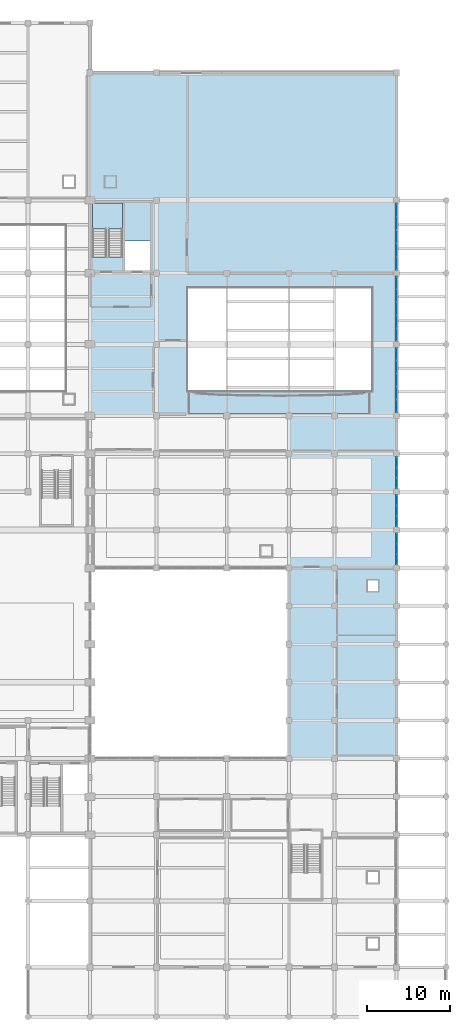
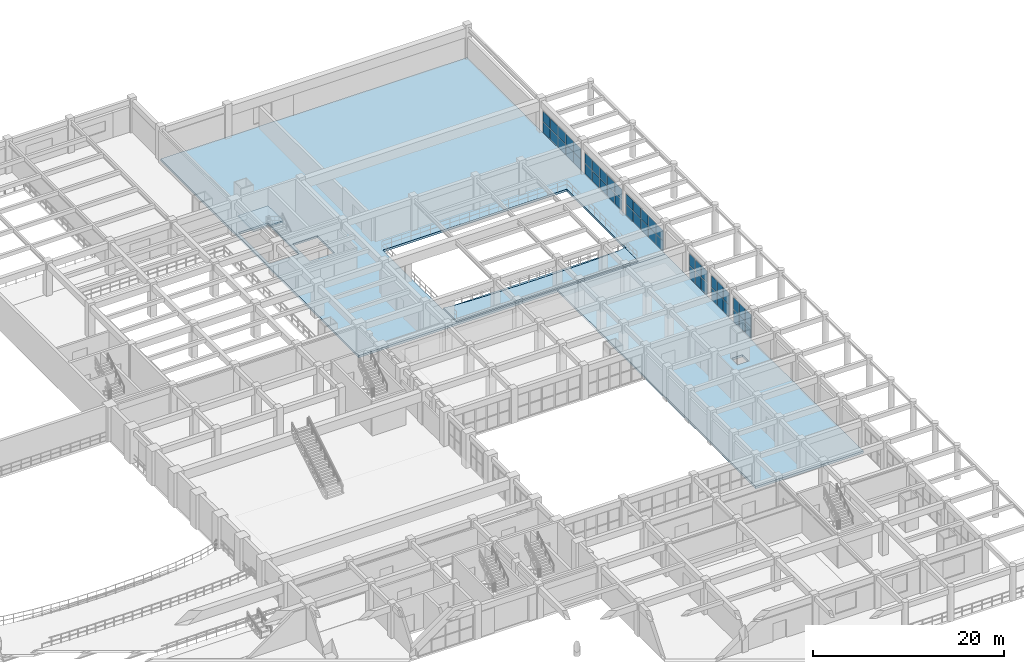
# One storey, part 93 of 116: 48 plates, 4 slabs, 7 elements without a shape of their own.
"""IFC4 building model written with IfcOpenShell, lengths in metres."""

from ifc_helpers import new_model, si_unit, direction, frame, origin, origin_2d, place, context, subcontext, project, spatial, polyline, rectangle, outline, extrude, material, layer, layer_set, type_object, element, aggregate, save


model = new_model("IFC4")

# Units and contexts
model_context = context("Model", 3, precision=1e-05, world=origin(), true_north=direction((0.0, 1.0)))
body_context = subcontext(model_context, "Body", "Model", "MODEL_VIEW")
ifc_project = project(units=[si_unit("LENGTHUNIT", "METRE"), si_unit("AREAUNIT", "SQUARE_METRE"), si_unit("VOLUMEUNIT", "CUBIC_METRE"), si_unit("PLANEANGLEUNIT", "RADIAN"), si_unit("MASSUNIT", "GRAM", prefix="KILO")], contexts=[model_context])

# Site, building, storey
site_placement = place(None, origin())
site = spatial("IfcSite", under=ifc_project, at=site_placement, CompositionType="ELEMENT")
building_placement = place(site_placement, origin())
building = spatial("IfcBuilding", under=site, at=building_placement, Name="Muzn Square Opera House", CompositionType="ELEMENT")
storey_placement = place(building_placement, frame((0.0, 0.0, 5.39990234375)))
storey = spatial("IfcBuildingStorey", under=building, at=storey_placement, Name="L01", CompositionType="ELEMENT", Elevation=5.39990234375)

# Slab
ifc_material_1 = material(Name="Concrete C40/50", Category="concrete")
ifc_layer_1 = layer(ifc_material_1, 0.199951171875, Name="Concrete C40/50", Category="concrete")
ifc_layer_set_1 = layer_set([ifc_layer_1], Name="Concrete C40/50")
slab_type_1 = type_object("IfcSlabType", Name="Auditorium Seating Tier 200mm", PredefinedType="USERDEFINED", material=ifc_layer_set_1)
slab_1_placement = place(storey_placement, origin())
element("IfcSlab", 1, at=slab_1_placement, inside=storey, type_object=slab_type_1, Name="Studio Theatre Seating Tier L01", ObjectType="SEATING TIER", PredefinedType="USERDEFINED", context=body_context, shape_type="SweptSolid", body=[
    extrude(outline(polyline([(144.89990234375, 72.800048828125), (166.800048828125, 72.800048828125), (166.800048828125, 75.5), (165.966552734375, 75.327880859375), (163.5927734375, 75.181884765625), (160.040283203125, 75.084228515625), (155.85009765625, 75.050048828125), (151.65966796875, 75.084228515625), (148.107177734375, 75.181884765625), (145.7333984375, 75.327880859375), (144.89990234375, 75.5), (144.89990234375, 72.800048828125)])), origin(), (0.0, 0.0, 1.0), 0.2001953125),
])

# Curtain wall, plates
ifc_material_2 = material(Name="Low-E laminated acoustic double glazing", Category="glass")
ifc_layer_2 = layer(ifc_material_2, 0.159912109375, Name="Low-E laminated acoustic double glazing", Category="glass")
ifc_layer_set_2 = layer_set([ifc_layer_2], Name="Low-E laminated acoustic double glazing")
curtain_wall_type_1 = type_object("IfcCurtainWallType", Name="Glazed Curtain Wall EastBlvd 3850x3200", PredefinedType="USERDEFINED", material=ifc_layer_set_2)
curtain_wall_1_placement = place(storey_placement, origin())
curtain_wall_1 = element("IfcCurtainWall", 2, at=curtain_wall_1_placement, inside=storey, type_object=curtain_wall_type_1, Name="Glazed Curtain Wall CW-L01-116", ObjectType="GLAZED CURTAIN WALL", PredefinedType="USERDEFINED")
ifc_layer_3 = layer(ifc_material_2, 0.028076171875, Name="Low-E laminated acoustic double glazing", Category="glass")
ifc_layer_set_3 = layer_set([ifc_layer_3], Name="Low-E laminated acoustic double glazing")
plate_type = type_object("IfcPlateType", Name="Curtain Wall Acoustic Glazed Panel 28mm", PredefinedType="CURTAIN_PANEL", material=ifc_layer_set_3)
plate_1_placement = place(storey_placement, frame((170.0, 55.231689453125, 0.06005859375), z_axis=(0.0, 0.0, 1.0), x_axis=(0.0, 1.0, 0.0)))
plate_1 = element("IfcPlate", 3, at=plate_1_placement, type_object=plate_type, Name="CW-EBL-38x32 panel 1.1", PredefinedType="CURTAIN_PANEL", context=body_context, shape_type="SweptSolid", body=[
    extrude(rectangle(XDim=1.193359375, YDim=0.028076171875, at=origin_2d()), origin(), (0.0, 0.0, 1.0), 1.510009765625),
])
plate_2_placement = place(storey_placement, frame((170.0, 55.231689453125, 1.6298828125), z_axis=(0.0, 0.0, 1.0), x_axis=(0.0, 1.0, 0.0)))
plate_2 = element("IfcPlate", 4, at=plate_2_placement, type_object=plate_type, Name="CW-EBL-38x32 panel 1.2", PredefinedType="CURTAIN_PANEL", context=body_context, shape_type="SweptSolid", body=[
    extrude(rectangle(XDim=1.193359375, YDim=0.028076171875, at=origin_2d()), origin(), (0.0, 0.0, 1.0), 1.510009765625),
])
plate_3_placement = place(storey_placement, frame((170.0, 56.5, 0.06005859375), z_axis=(0.0, 0.0, 1.0), x_axis=(0.0, 1.0, 0.0)))
plate_3 = element("IfcPlate", 5, at=plate_3_placement, type_object=plate_type, Name="CW-EBL-38x32 panel 2.1", PredefinedType="CURTAIN_PANEL", context=body_context, shape_type="SweptSolid", body=[
    extrude(rectangle(XDim=1.223388671875, YDim=0.028076171875, at=origin_2d()), origin(), (0.0, 0.0, 1.0), 1.510009765625),
])
plate_4_placement = place(storey_placement, frame((170.0, 56.5, 1.6298828125), z_axis=(0.0, 0.0, 1.0), x_axis=(0.0, 1.0, 0.0)))
plate_4 = element("IfcPlate", 6, at=plate_4_placement, type_object=plate_type, Name="CW-EBL-38x32 panel 2.2", PredefinedType="CURTAIN_PANEL", context=body_context, shape_type="SweptSolid", body=[
    extrude(rectangle(XDim=1.223388671875, YDim=0.028076171875, at=origin_2d()), origin(), (0.0, 0.0, 1.0), 1.510009765625),
])
plate_5_placement = place(storey_placement, frame((170.0, 57.768310546875, 0.06005859375), z_axis=(0.0, 0.0, 1.0), x_axis=(0.0, 1.0, 0.0)))
plate_5 = element("IfcPlate", 7, at=plate_5_placement, type_object=plate_type, Name="CW-EBL-38x32 panel 3.1", PredefinedType="CURTAIN_PANEL", context=body_context, shape_type="SweptSolid", body=[
    extrude(rectangle(XDim=1.193359375, YDim=0.028076171875, at=origin_2d()), origin(), (0.0, 0.0, 1.0), 1.510009765625),
])
plate_6_placement = place(storey_placement, frame((170.0, 57.768310546875, 1.6298828125), z_axis=(0.0, 0.0, 1.0), x_axis=(0.0, 1.0, 0.0)))
plate_6 = element("IfcPlate", 8, at=plate_6_placement, type_object=plate_type, Name="CW-EBL-38x32 panel 3.2", PredefinedType="CURTAIN_PANEL", context=body_context, shape_type="SweptSolid", body=[
    extrude(rectangle(XDim=1.193359375, YDim=0.028076171875, at=origin_2d()), origin(), (0.0, 0.0, 1.0), 1.510009765625),
])
aggregate(curtain_wall_1, [plate_1, plate_2, plate_3, plate_4, plate_5, plate_6])

curtain_wall_2_placement = place(storey_placement, origin())
curtain_wall_2 = element("IfcCurtainWall", 9, at=curtain_wall_2_placement, inside=storey, type_object=curtain_wall_type_1, Name="Glazed Curtain Wall CW-L01-117", ObjectType="GLAZED CURTAIN WALL", PredefinedType="USERDEFINED")
plate_7_placement = place(storey_placement, frame((170.0, 59.831787109375, 0.06005859375), z_axis=(0.0, 0.0, 1.0), x_axis=(0.0, 1.0, 0.0)))
plate_7 = element("IfcPlate", 10, at=plate_7_placement, type_object=plate_type, Name="CW-EBL-38x32 panel 1.1", PredefinedType="CURTAIN_PANEL", context=body_context, shape_type="SweptSolid", body=[
    extrude(rectangle(XDim=1.193359375, YDim=0.028076171875, at=origin_2d()), origin(), (0.0, 0.0, 1.0), 1.510009765625),
])
plate_8_placement = place(storey_placement, frame((170.0, 59.831787109375, 1.6298828125), z_axis=(0.0, 0.0, 1.0), x_axis=(0.0, 1.0, 0.0)))
plate_8 = element("IfcPlate", 11, at=plate_8_placement, type_object=plate_type, Name="CW-EBL-38x32 panel 1.2", PredefinedType="CURTAIN_PANEL", context=body_context, shape_type="SweptSolid", body=[
    extrude(rectangle(XDim=1.193359375, YDim=0.028076171875, at=origin_2d()), origin(), (0.0, 0.0, 1.0), 1.510009765625),
])
plate_9_placement = place(storey_placement, frame((170.0, 61.10009765625, 0.06005859375), z_axis=(0.0, 0.0, 1.0), x_axis=(0.0, 1.0, 0.0)))
plate_9 = element("IfcPlate", 12, at=plate_9_placement, type_object=plate_type, Name="CW-EBL-38x32 panel 2.1", PredefinedType="CURTAIN_PANEL", context=body_context, shape_type="SweptSolid", body=[
    extrude(rectangle(XDim=1.223388671875, YDim=0.028076171875, at=origin_2d()), origin(), (0.0, 0.0, 1.0), 1.510009765625),
])
plate_10_placement = place(storey_placement, frame((170.0, 61.10009765625, 1.6298828125), z_axis=(0.0, 0.0, 1.0), x_axis=(0.0, 1.0, 0.0)))
plate_10 = element("IfcPlate", 13, at=plate_10_placement, type_object=plate_type, Name="CW-EBL-38x32 panel 2.2", PredefinedType="CURTAIN_PANEL", context=body_context, shape_type="SweptSolid", body=[
    extrude(rectangle(XDim=1.223388671875, YDim=0.028076171875, at=origin_2d()), origin(), (0.0, 0.0, 1.0), 1.510009765625),
])
plate_11_placement = place(storey_placement, frame((170.0, 62.368408203125, 0.06005859375), z_axis=(0.0, 0.0, 1.0), x_axis=(0.0, 1.0, 0.0)))
plate_11 = element("IfcPlate", 14, at=plate_11_placement, type_object=plate_type, Name="CW-EBL-38x32 panel 3.1", PredefinedType="CURTAIN_PANEL", context=body_context, shape_type="SweptSolid", body=[
    extrude(rectangle(XDim=1.193359375, YDim=0.028076171875, at=origin_2d()), origin(), (0.0, 0.0, 1.0), 1.510009765625),
])
plate_12_placement = place(storey_placement, frame((170.0, 62.368408203125, 1.6298828125), z_axis=(0.0, 0.0, 1.0), x_axis=(0.0, 1.0, 0.0)))
plate_12 = element("IfcPlate", 15, at=plate_12_placement, type_object=plate_type, Name="CW-EBL-38x32 panel 3.2", PredefinedType="CURTAIN_PANEL", context=body_context, shape_type="SweptSolid", body=[
    extrude(rectangle(XDim=1.193359375, YDim=0.028076171875, at=origin_2d()), origin(), (0.0, 0.0, 1.0), 1.510009765625),
])
aggregate(curtain_wall_2, [plate_7, plate_8, plate_9, plate_10, plate_11, plate_12])

curtain_wall_3_placement = place(storey_placement, origin())
curtain_wall_3 = element("IfcCurtainWall", 16, at=curtain_wall_3_placement, inside=storey, type_object=curtain_wall_type_1, Name="Glazed Curtain Wall CW-L01-118", ObjectType="GLAZED CURTAIN WALL", PredefinedType="USERDEFINED")
plate_13_placement = place(storey_placement, frame((170.0, 64.431640625, 0.06005859375), z_axis=(0.0, 0.0, 1.0), x_axis=(0.0, 1.0, 0.0)))
plate_13 = element("IfcPlate", 17, at=plate_13_placement, type_object=plate_type, Name="CW-EBL-38x32 panel 1.1", PredefinedType="CURTAIN_PANEL", context=body_context, shape_type="SweptSolid", body=[
    extrude(rectangle(XDim=1.193359375, YDim=0.028076171875, at=origin_2d()), origin(), (0.0, 0.0, 1.0), 1.510009765625),
])
plate_14_placement = place(storey_placement, frame((170.0, 64.431640625, 1.6298828125), z_axis=(0.0, 0.0, 1.0), x_axis=(0.0, 1.0, 0.0)))
plate_14 = element("IfcPlate", 18, at=plate_14_placement, type_object=plate_type, Name="CW-EBL-38x32 panel 1.2", PredefinedType="CURTAIN_PANEL", context=body_context, shape_type="SweptSolid", body=[
    extrude(rectangle(XDim=1.193359375, YDim=0.028076171875, at=origin_2d()), origin(), (0.0, 0.0, 1.0), 1.510009765625),
])
plate_15_placement = place(storey_placement, frame((170.0, 65.699951171875, 0.06005859375), z_axis=(0.0, 0.0, 1.0), x_axis=(0.0, 1.0, 0.0)))
plate_15 = element("IfcPlate", 19, at=plate_15_placement, type_object=plate_type, Name="CW-EBL-38x32 panel 2.1", PredefinedType="CURTAIN_PANEL", context=body_context, shape_type="SweptSolid", body=[
    extrude(rectangle(XDim=1.223388671875, YDim=0.028076171875, at=origin_2d()), origin(), (0.0, 0.0, 1.0), 1.510009765625),
])
plate_16_placement = place(storey_placement, frame((170.0, 65.699951171875, 1.6298828125), z_axis=(0.0, 0.0, 1.0), x_axis=(0.0, 1.0, 0.0)))
plate_16 = element("IfcPlate", 20, at=plate_16_placement, type_object=plate_type, Name="CW-EBL-38x32 panel 2.2", PredefinedType="CURTAIN_PANEL", context=body_context, shape_type="SweptSolid", body=[
    extrude(rectangle(XDim=1.223388671875, YDim=0.028076171875, at=origin_2d()), origin(), (0.0, 0.0, 1.0), 1.510009765625),
])
plate_17_placement = place(storey_placement, frame((170.0, 66.96826171875, 0.06005859375), z_axis=(0.0, 0.0, 1.0), x_axis=(0.0, 1.0, 0.0)))
plate_17 = element("IfcPlate", 21, at=plate_17_placement, type_object=plate_type, Name="CW-EBL-38x32 panel 3.1", PredefinedType="CURTAIN_PANEL", context=body_context, shape_type="SweptSolid", body=[
    extrude(rectangle(XDim=1.193359375, YDim=0.028076171875, at=origin_2d()), origin(), (0.0, 0.0, 1.0), 1.510009765625),
])
plate_18_placement = place(storey_placement, frame((170.0, 66.96826171875, 1.6298828125), z_axis=(0.0, 0.0, 1.0), x_axis=(0.0, 1.0, 0.0)))
plate_18 = element("IfcPlate", 22, at=plate_18_placement, type_object=plate_type, Name="CW-EBL-38x32 panel 3.2", PredefinedType="CURTAIN_PANEL", context=body_context, shape_type="SweptSolid", body=[
    extrude(rectangle(XDim=1.193359375, YDim=0.028076171875, at=origin_2d()), origin(), (0.0, 0.0, 1.0), 1.510009765625),
])
aggregate(curtain_wall_3, [plate_13, plate_14, plate_15, plate_16, plate_17, plate_18])

ifc_layer_4 = layer(ifc_material_2, 0.159912109375, Name="Low-E laminated acoustic double glazing", Category="glass")
ifc_layer_set_4 = layer_set([ifc_layer_4], Name="Low-E laminated acoustic double glazing")
curtain_wall_type_2 = type_object("IfcCurtainWallType", Name="Glazed Curtain Wall EastBlvd 7850x2820", PredefinedType="USERDEFINED", material=ifc_layer_set_4)
curtain_wall_4_placement = place(storey_placement, origin())
curtain_wall_4 = element("IfcCurtainWall", 23, at=curtain_wall_4_placement, inside=storey, type_object=curtain_wall_type_2, Name="Glazed Curtain Wall CW-L01-119", ObjectType="GLAZED CURTAIN WALL", PredefinedType="USERDEFINED")
plate_19_placement = place(storey_placement, frame((170.0, 73.77490234375, 0.06005859375), z_axis=(0.0, 0.0, 1.0), x_axis=(0.0, 1.0, 0.0)))
plate_19 = element("IfcPlate", 24, at=plate_19_placement, type_object=plate_type, Name="CW-EBL-78x28 panel 1.1", PredefinedType="CURTAIN_PANEL", context=body_context, shape_type="SweptSolid", body=[
    extrude(rectangle(XDim=1.47998046875, YDim=0.028076171875, at=origin_2d()), origin(), (0.0, 0.0, 1.0), 1.320068359375),
])
plate_20_placement = place(storey_placement, frame((170.0, 73.77490234375, 1.43994140625), z_axis=(0.0, 0.0, 1.0), x_axis=(0.0, 1.0, 0.0)))
plate_20 = element("IfcPlate", 25, at=plate_20_placement, type_object=plate_type, Name="CW-EBL-78x28 panel 1.2", PredefinedType="CURTAIN_PANEL", context=body_context, shape_type="SweptSolid", body=[
    extrude(rectangle(XDim=1.47998046875, YDim=0.028076171875, at=origin_2d()), origin(), (0.0, 0.0, 1.0), 1.320068359375),
])
plate_21_placement = place(storey_placement, frame((170.0, 75.330078125, 0.06005859375), z_axis=(0.0, 0.0, 1.0), x_axis=(0.0, 1.0, 0.0)))
plate_21 = element("IfcPlate", 26, at=plate_21_placement, type_object=plate_type, Name="CW-EBL-78x28 panel 2.1", PredefinedType="CURTAIN_PANEL", context=body_context, shape_type="SweptSolid", body=[
    extrude(rectangle(XDim=1.510009765625, YDim=0.028076171875, at=origin_2d()), origin(), (0.0, 0.0, 1.0), 1.320068359375),
])
plate_22_placement = place(storey_placement, frame((170.0, 75.330078125, 1.43994140625), z_axis=(0.0, 0.0, 1.0), x_axis=(0.0, 1.0, 0.0)))
plate_22 = element("IfcPlate", 27, at=plate_22_placement, type_object=plate_type, Name="CW-EBL-78x28 panel 2.2", PredefinedType="CURTAIN_PANEL", context=body_context, shape_type="SweptSolid", body=[
    extrude(rectangle(XDim=1.510009765625, YDim=0.028076171875, at=origin_2d()), origin(), (0.0, 0.0, 1.0), 1.320068359375),
])
plate_23_placement = place(storey_placement, frame((170.0, 76.89990234375, 0.06005859375), z_axis=(0.0, 0.0, 1.0), x_axis=(0.0, 1.0, 0.0)))
plate_23 = element("IfcPlate", 28, at=plate_23_placement, type_object=plate_type, Name="CW-EBL-78x28 panel 3.1", PredefinedType="CURTAIN_PANEL", context=body_context, shape_type="SweptSolid", body=[
    extrude(rectangle(XDim=1.510009765625, YDim=0.028076171875, at=origin_2d()), origin(), (0.0, 0.0, 1.0), 1.320068359375),
])
plate_24_placement = place(storey_placement, frame((170.0, 76.89990234375, 1.43994140625), z_axis=(0.0, 0.0, 1.0), x_axis=(0.0, 1.0, 0.0)))
plate_24 = element("IfcPlate", 29, at=plate_24_placement, type_object=plate_type, Name="CW-EBL-78x28 panel 3.2", PredefinedType="CURTAIN_PANEL", context=body_context, shape_type="SweptSolid", body=[
    extrude(rectangle(XDim=1.510009765625, YDim=0.028076171875, at=origin_2d()), origin(), (0.0, 0.0, 1.0), 1.320068359375),
])
plate_25_placement = place(storey_placement, frame((170.0, 78.469970703125, 0.06005859375), z_axis=(0.0, 0.0, 1.0), x_axis=(0.0, 1.0, 0.0)))
plate_25 = element("IfcPlate", 30, at=plate_25_placement, type_object=plate_type, Name="CW-EBL-78x28 panel 4.1", PredefinedType="CURTAIN_PANEL", context=body_context, shape_type="SweptSolid", body=[
    extrude(rectangle(XDim=1.510009765625, YDim=0.028076171875, at=origin_2d()), origin(), (0.0, 0.0, 1.0), 1.320068359375),
])
plate_26_placement = place(storey_placement, frame((170.0, 78.469970703125, 1.43994140625), z_axis=(0.0, 0.0, 1.0), x_axis=(0.0, 1.0, 0.0)))
plate_26 = element("IfcPlate", 31, at=plate_26_placement, type_object=plate_type, Name="CW-EBL-78x28 panel 4.2", PredefinedType="CURTAIN_PANEL", context=body_context, shape_type="SweptSolid", body=[
    extrude(rectangle(XDim=1.510009765625, YDim=0.028076171875, at=origin_2d()), origin(), (0.0, 0.0, 1.0), 1.320068359375),
])
plate_27_placement = place(storey_placement, frame((170.0, 80.02490234375, 0.06005859375), z_axis=(0.0, 0.0, 1.0), x_axis=(0.0, 1.0, 0.0)))
plate_27 = element("IfcPlate", 32, at=plate_27_placement, type_object=plate_type, Name="CW-EBL-78x28 panel 5.1", PredefinedType="CURTAIN_PANEL", context=body_context, shape_type="SweptSolid", body=[
    extrude(rectangle(XDim=1.47998046875, YDim=0.028076171875, at=origin_2d()), origin(), (0.0, 0.0, 1.0), 1.320068359375),
])
plate_28_placement = place(storey_placement, frame((170.0, 80.02490234375, 1.43994140625), z_axis=(0.0, 0.0, 1.0), x_axis=(0.0, 1.0, 0.0)))
plate_28 = element("IfcPlate", 33, at=plate_28_placement, type_object=plate_type, Name="CW-EBL-78x28 panel 5.2", PredefinedType="CURTAIN_PANEL", context=body_context, shape_type="SweptSolid", body=[
    extrude(rectangle(XDim=1.47998046875, YDim=0.028076171875, at=origin_2d()), origin(), (0.0, 0.0, 1.0), 1.320068359375),
])
aggregate(curtain_wall_4, [plate_19, plate_20, plate_21, plate_22, plate_23, plate_24, plate_25, plate_26, plate_27, plate_28])

curtain_wall_5_placement = place(storey_placement, origin())
curtain_wall_5 = element("IfcCurtainWall", 34, at=curtain_wall_5_placement, inside=storey, type_object=curtain_wall_type_2, Name="Glazed Curtain Wall CW-L01-120", ObjectType="GLAZED CURTAIN WALL", PredefinedType="USERDEFINED")
plate_29_placement = place(storey_placement, frame((170.0, 82.375, 0.06005859375), z_axis=(0.0, 0.0, 1.0), x_axis=(0.0, 1.0, 0.0)))
plate_29 = element("IfcPlate", 35, at=plate_29_placement, type_object=plate_type, Name="CW-EBL-78x28 panel 1.1", PredefinedType="CURTAIN_PANEL", context=body_context, shape_type="SweptSolid", body=[
    extrude(rectangle(XDim=1.47998046875, YDim=0.028076171875, at=origin_2d()), origin(), (0.0, 0.0, 1.0), 1.320068359375),
])
plate_30_placement = place(storey_placement, frame((170.0, 82.375, 1.43994140625), z_axis=(0.0, 0.0, 1.0), x_axis=(0.0, 1.0, 0.0)))
plate_30 = element("IfcPlate", 36, at=plate_30_placement, type_object=plate_type, Name="CW-EBL-78x28 panel 1.2", PredefinedType="CURTAIN_PANEL", context=body_context, shape_type="SweptSolid", body=[
    extrude(rectangle(XDim=1.47998046875, YDim=0.028076171875, at=origin_2d()), origin(), (0.0, 0.0, 1.0), 1.320068359375),
])
plate_31_placement = place(storey_placement, frame((170.0, 83.929931640625, 0.06005859375), z_axis=(0.0, 0.0, 1.0), x_axis=(0.0, 1.0, 0.0)))
plate_31 = element("IfcPlate", 37, at=plate_31_placement, type_object=plate_type, Name="CW-EBL-78x28 panel 2.1", PredefinedType="CURTAIN_PANEL", context=body_context, shape_type="SweptSolid", body=[
    extrude(rectangle(XDim=1.510009765625, YDim=0.028076171875, at=origin_2d()), origin(), (0.0, 0.0, 1.0), 1.320068359375),
])
plate_32_placement = place(storey_placement, frame((170.0, 83.929931640625, 1.43994140625), z_axis=(0.0, 0.0, 1.0), x_axis=(0.0, 1.0, 0.0)))
plate_32 = element("IfcPlate", 38, at=plate_32_placement, type_object=plate_type, Name="CW-EBL-78x28 panel 2.2", PredefinedType="CURTAIN_PANEL", context=body_context, shape_type="SweptSolid", body=[
    extrude(rectangle(XDim=1.510009765625, YDim=0.028076171875, at=origin_2d()), origin(), (0.0, 0.0, 1.0), 1.320068359375),
])
plate_33_placement = place(storey_placement, frame((170.0, 85.5, 0.06005859375), z_axis=(0.0, 0.0, 1.0), x_axis=(0.0, 1.0, 0.0)))
plate_33 = element("IfcPlate", 39, at=plate_33_placement, type_object=plate_type, Name="CW-EBL-78x28 panel 3.1", PredefinedType="CURTAIN_PANEL", context=body_context, shape_type="SweptSolid", body=[
    extrude(rectangle(XDim=1.510009765625, YDim=0.028076171875, at=origin_2d()), origin(), (0.0, 0.0, 1.0), 1.320068359375),
])
plate_34_placement = place(storey_placement, frame((170.0, 85.5, 1.43994140625), z_axis=(0.0, 0.0, 1.0), x_axis=(0.0, 1.0, 0.0)))
plate_34 = element("IfcPlate", 40, at=plate_34_placement, type_object=plate_type, Name="CW-EBL-78x28 panel 3.2", PredefinedType="CURTAIN_PANEL", context=body_context, shape_type="SweptSolid", body=[
    extrude(rectangle(XDim=1.510009765625, YDim=0.028076171875, at=origin_2d()), origin(), (0.0, 0.0, 1.0), 1.320068359375),
])
plate_35_placement = place(storey_placement, frame((170.0, 87.070068359375, 0.06005859375), z_axis=(0.0, 0.0, 1.0), x_axis=(0.0, 1.0, 0.0)))
plate_35 = element("IfcPlate", 41, at=plate_35_placement, type_object=plate_type, Name="CW-EBL-78x28 panel 4.1", PredefinedType="CURTAIN_PANEL", context=body_context, shape_type="SweptSolid", body=[
    extrude(rectangle(XDim=1.510009765625, YDim=0.028076171875, at=origin_2d()), origin(), (0.0, 0.0, 1.0), 1.320068359375),
])
plate_36_placement = place(storey_placement, frame((170.0, 87.070068359375, 1.43994140625), z_axis=(0.0, 0.0, 1.0), x_axis=(0.0, 1.0, 0.0)))
plate_36 = element("IfcPlate", 42, at=plate_36_placement, type_object=plate_type, Name="CW-EBL-78x28 panel 4.2", PredefinedType="CURTAIN_PANEL", context=body_context, shape_type="SweptSolid", body=[
    extrude(rectangle(XDim=1.510009765625, YDim=0.028076171875, at=origin_2d()), origin(), (0.0, 0.0, 1.0), 1.320068359375),
])
plate_37_placement = place(storey_placement, frame((170.0, 88.625, 0.06005859375), z_axis=(0.0, 0.0, 1.0), x_axis=(0.0, 1.0, 0.0)))
plate_37 = element("IfcPlate", 43, at=plate_37_placement, type_object=plate_type, Name="CW-EBL-78x28 panel 5.1", PredefinedType="CURTAIN_PANEL", context=body_context, shape_type="SweptSolid", body=[
    extrude(rectangle(XDim=1.47998046875, YDim=0.028076171875, at=origin_2d()), origin(), (0.0, 0.0, 1.0), 1.320068359375),
])
plate_38_placement = place(storey_placement, frame((170.0, 88.625, 1.43994140625), z_axis=(0.0, 0.0, 1.0), x_axis=(0.0, 1.0, 0.0)))
plate_38 = element("IfcPlate", 44, at=plate_38_placement, type_object=plate_type, Name="CW-EBL-78x28 panel 5.2", PredefinedType="CURTAIN_PANEL", context=body_context, shape_type="SweptSolid", body=[
    extrude(rectangle(XDim=1.47998046875, YDim=0.028076171875, at=origin_2d()), origin(), (0.0, 0.0, 1.0), 1.320068359375),
])
aggregate(curtain_wall_5, [plate_29, plate_30, plate_31, plate_32, plate_33, plate_34, plate_35, plate_36, plate_37, plate_38])

ifc_layer_5 = layer(ifc_material_2, 0.159912109375, Name="Low-E laminated acoustic double glazing", Category="glass")
ifc_layer_set_5 = layer_set([ifc_layer_5], Name="Low-E laminated acoustic double glazing")
curtain_wall_type_3 = type_object("IfcCurtainWallType", Name="Glazed Curtain Wall EastBlvd 8050x2820", PredefinedType="USERDEFINED", material=ifc_layer_set_5)
curtain_wall_6_placement = place(storey_placement, origin())
curtain_wall_6 = element("IfcCurtainWall", 45, at=curtain_wall_6_placement, inside=storey, type_object=curtain_wall_type_3, Name="Glazed Curtain Wall CW-L01-121", ObjectType="GLAZED CURTAIN WALL", PredefinedType="USERDEFINED")
plate_39_placement = place(storey_placement, frame((170.0, 90.9951171875, 0.06005859375), z_axis=(0.0, 0.0, 1.0), x_axis=(0.0, 1.0, 0.0)))
plate_39 = element("IfcPlate", 46, at=plate_39_placement, type_object=plate_type, Name="CW-EBL-80x28 panel 1.1", PredefinedType="CURTAIN_PANEL", context=body_context, shape_type="SweptSolid", body=[
    extrude(rectangle(XDim=1.52001953125, YDim=0.028076171875, at=origin_2d()), origin(), (0.0, 0.0, 1.0), 1.320068359375),
])
plate_40_placement = place(storey_placement, frame((170.0, 90.9951171875, 1.43994140625), z_axis=(0.0, 0.0, 1.0), x_axis=(0.0, 1.0, 0.0)))
plate_40 = element("IfcPlate", 47, at=plate_40_placement, type_object=plate_type, Name="CW-EBL-80x28 panel 1.2", PredefinedType="CURTAIN_PANEL", context=body_context, shape_type="SweptSolid", body=[
    extrude(rectangle(XDim=1.52001953125, YDim=0.028076171875, at=origin_2d()), origin(), (0.0, 0.0, 1.0), 1.320068359375),
])
plate_41_placement = place(storey_placement, frame((170.0, 92.590087890625, 0.06005859375), z_axis=(0.0, 0.0, 1.0), x_axis=(0.0, 1.0, 0.0)))
plate_41 = element("IfcPlate", 48, at=plate_41_placement, type_object=plate_type, Name="CW-EBL-80x28 panel 2.1", PredefinedType="CURTAIN_PANEL", context=body_context, shape_type="SweptSolid", body=[
    extrude(rectangle(XDim=1.550048828125, YDim=0.028076171875, at=origin_2d()), origin(), (0.0, 0.0, 1.0), 1.320068359375),
])
plate_42_placement = place(storey_placement, frame((170.0, 92.590087890625, 1.43994140625), z_axis=(0.0, 0.0, 1.0), x_axis=(0.0, 1.0, 0.0)))
plate_42 = element("IfcPlate", 49, at=plate_42_placement, type_object=plate_type, Name="CW-EBL-80x28 panel 2.2", PredefinedType="CURTAIN_PANEL", context=body_context, shape_type="SweptSolid", body=[
    extrude(rectangle(XDim=1.550048828125, YDim=0.028076171875, at=origin_2d()), origin(), (0.0, 0.0, 1.0), 1.320068359375),
])
plate_43_placement = place(storey_placement, frame((170.0, 94.199951171875, 0.06005859375), z_axis=(0.0, 0.0, 1.0), x_axis=(0.0, 1.0, 0.0)))
plate_43 = element("IfcPlate", 50, at=plate_43_placement, type_object=plate_type, Name="CW-EBL-80x28 panel 3.1", PredefinedType="CURTAIN_PANEL", context=body_context, shape_type="SweptSolid", body=[
    extrude(rectangle(XDim=1.550048828125, YDim=0.028076171875, at=origin_2d()), origin(), (0.0, 0.0, 1.0), 1.320068359375),
])
plate_44_placement = place(storey_placement, frame((170.0, 94.199951171875, 1.43994140625), z_axis=(0.0, 0.0, 1.0), x_axis=(0.0, 1.0, 0.0)))
plate_44 = element("IfcPlate", 51, at=plate_44_placement, type_object=plate_type, Name="CW-EBL-80x28 panel 3.2", PredefinedType="CURTAIN_PANEL", context=body_context, shape_type="SweptSolid", body=[
    extrude(rectangle(XDim=1.550048828125, YDim=0.028076171875, at=origin_2d()), origin(), (0.0, 0.0, 1.0), 1.320068359375),
])
plate_45_placement = place(storey_placement, frame((170.0, 95.81005859375, 0.06005859375), z_axis=(0.0, 0.0, 1.0), x_axis=(0.0, 1.0, 0.0)))
plate_45 = element("IfcPlate", 52, at=plate_45_placement, type_object=plate_type, Name="CW-EBL-80x28 panel 4.1", PredefinedType="CURTAIN_PANEL", context=body_context, shape_type="SweptSolid", body=[
    extrude(rectangle(XDim=1.550048828125, YDim=0.028076171875, at=origin_2d()), origin(), (0.0, 0.0, 1.0), 1.320068359375),
])
plate_46_placement = place(storey_placement, frame((170.0, 95.81005859375, 1.43994140625), z_axis=(0.0, 0.0, 1.0), x_axis=(0.0, 1.0, 0.0)))
plate_46 = element("IfcPlate", 53, at=plate_46_placement, type_object=plate_type, Name="CW-EBL-80x28 panel 4.2", PredefinedType="CURTAIN_PANEL", context=body_context, shape_type="SweptSolid", body=[
    extrude(rectangle(XDim=1.550048828125, YDim=0.028076171875, at=origin_2d()), origin(), (0.0, 0.0, 1.0), 1.320068359375),
])
plate_47_placement = place(storey_placement, frame((170.0, 97.405029296875, 0.06005859375), z_axis=(0.0, 0.0, 1.0), x_axis=(0.0, 1.0, 0.0)))
plate_47 = element("IfcPlate", 54, at=plate_47_placement, type_object=plate_type, Name="CW-EBL-80x28 panel 5.1", PredefinedType="CURTAIN_PANEL", context=body_context, shape_type="SweptSolid", body=[
    extrude(rectangle(XDim=1.52001953125, YDim=0.028076171875, at=origin_2d()), origin(), (0.0, 0.0, 1.0), 1.320068359375),
])
plate_48_placement = place(storey_placement, frame((170.0, 97.405029296875, 1.43994140625), z_axis=(0.0, 0.0, 1.0), x_axis=(0.0, 1.0, 0.0)))
plate_48 = element("IfcPlate", 55, at=plate_48_placement, type_object=plate_type, Name="CW-EBL-80x28 panel 5.2", PredefinedType="CURTAIN_PANEL", context=body_context, shape_type="SweptSolid", body=[
    extrude(rectangle(XDim=1.52001953125, YDim=0.028076171875, at=origin_2d()), origin(), (0.0, 0.0, 1.0), 1.320068359375),
])
aggregate(curtain_wall_6, [plate_39, plate_40, plate_41, plate_42, plate_43, plate_44, plate_45, plate_46, plate_47, plate_48])

# Slabs
ifc_layer_6 = layer(ifc_material_1, 0.280029296875, Name="Concrete C40/50", Category="concrete")
ifc_layer_set_6 = layer_set([ifc_layer_6], Name="Concrete C40/50")
slab_type_2 = type_object("IfcSlabType", Name="Floor Slab 280mm", PredefinedType="FLOOR", material=ifc_layer_set_6)
slab_2_placement = place(storey_placement, frame((0.0, 0.0, -0.27978515625)))
element("IfcSlab", 56, at=slab_2_placement, inside=storey, type_object=slab_type_2, Name="Floor Slab SLB-L01-EOUTER", PredefinedType="FLOOR", context=body_context, shape_type="SweptSolid", body=[
    extrude(outline(polyline([(157.0, 31.199951171875), (170.0, 31.199951171875), (170.0, 72.60009765625), (157.0, 72.60009765625), (157.0, 31.199951171875)]), holes=[polyline([(166.5, 51.39990234375), (167.800048828125, 51.39990234375), (167.800048828125, 52.699951171875), (166.5, 52.699951171875), (166.5, 51.39990234375)])]), origin(), (0.0, 0.0, 1.0), 0.27978515625),
])
slab_3_placement = place(storey_placement, frame((0.0, 0.0, -0.27978515625)))
element("IfcSlab", 57, at=slab_3_placement, inside=storey, type_object=slab_type_2, Name="Floor Slab SLB-L01-REHPAV", PredefinedType="FLOOR", context=body_context, shape_type="SweptSolid", body=[
    extrude(outline(polyline([(133.0, 72.60009765625), (170.0, 72.60009765625), (170.0, 114.0), (133.0, 114.0), (133.0, 72.60009765625)]), holes=[polyline([(144.800048828125, 75.60009765625), (167.0, 75.60009765625), (167.0, 88.0), (144.800048828125, 88.0), (144.800048828125, 75.60009765625)]), polyline([(133.300048828125, 91.76806640625), (136.89990234375, 91.76806640625), (136.89990234375, 98.300048828125), (133.300048828125, 98.300048828125), (133.300048828125, 91.76806640625)]), polyline([(137.199951171875, 90.10009765625), (140.199951171875, 90.10009765625), (140.199951171875, 93.699951171875), (137.199951171875, 93.699951171875), (137.199951171875, 90.10009765625)])]), origin(), (0.0, 0.0, 1.0), 0.27978515625),
])

# Stair, slab
stair_type = type_object("IfcStairType", Name="Core Escape Dogleg Stair", PredefinedType="HALF_TURN_STAIR", material=ifc_material_1)
stair_placement = place(storey_placement, origin())
stair = element("IfcStair", 58, at=stair_placement, inside=storey, type_object=stair_type, Name="L01 Escape Stair ST-5", PredefinedType="HALF_TURN_STAIR")
ifc_layer_7 = layer(ifc_material_1, 0.199951171875, Name="Concrete C40/50", Category="concrete")
ifc_layer_set_7 = layer_set([ifc_layer_7], Name="Concrete C40/50")
slab_type_3 = type_object("IfcSlabType", Name="Stair Half Landing 200mm", PredefinedType="LANDING", material=ifc_layer_set_7)
slab_4_placement = place(storey_placement, frame((0.0, 0.0, 2.0)))
slab_4 = element("IfcSlab", 59, at=slab_4_placement, type_object=slab_type_3, Name="ST-5 landing 1", PredefinedType="LANDING", context=body_context, shape_type="SweptSolid", body=[
    extrude(outline(polyline([(136.89990234375, 95.1201171875), (136.89990234375, 98.300048828125), (133.300048828125, 98.300048828125), (133.300048828125, 95.1201171875), (136.89990234375, 95.1201171875)])), origin(), (0.0, 0.0, 1.0), 0.2001953125),
])
aggregate(stair, [slab_4])

save(model, "model.ifc")
